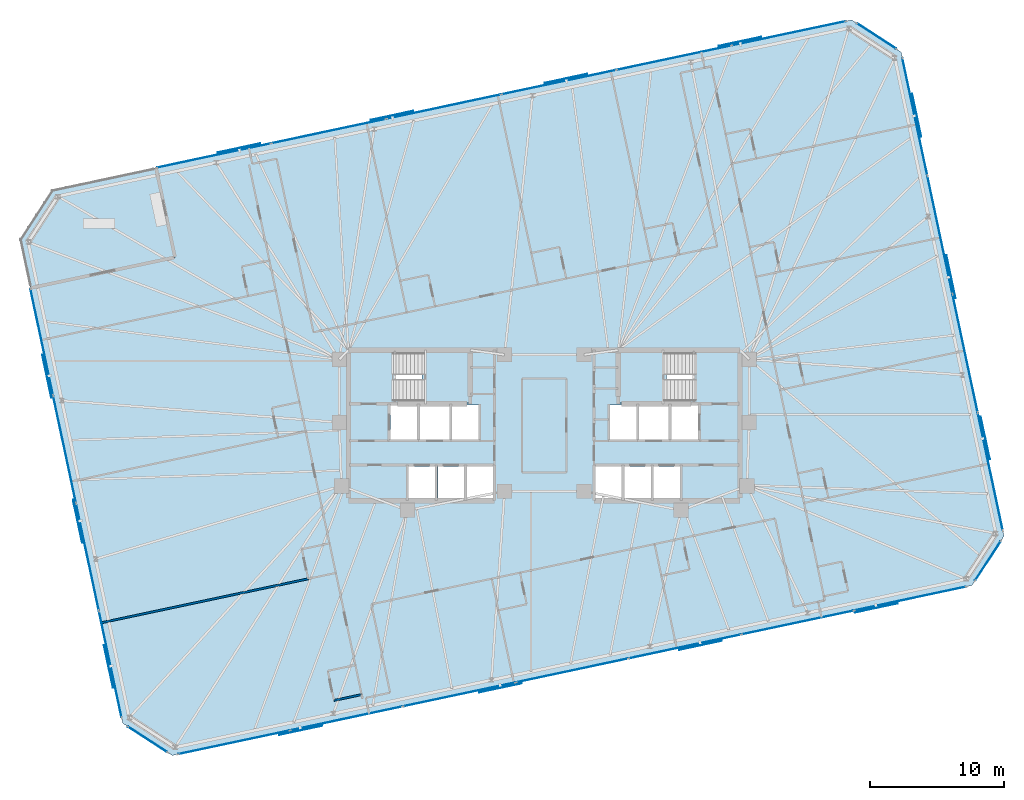
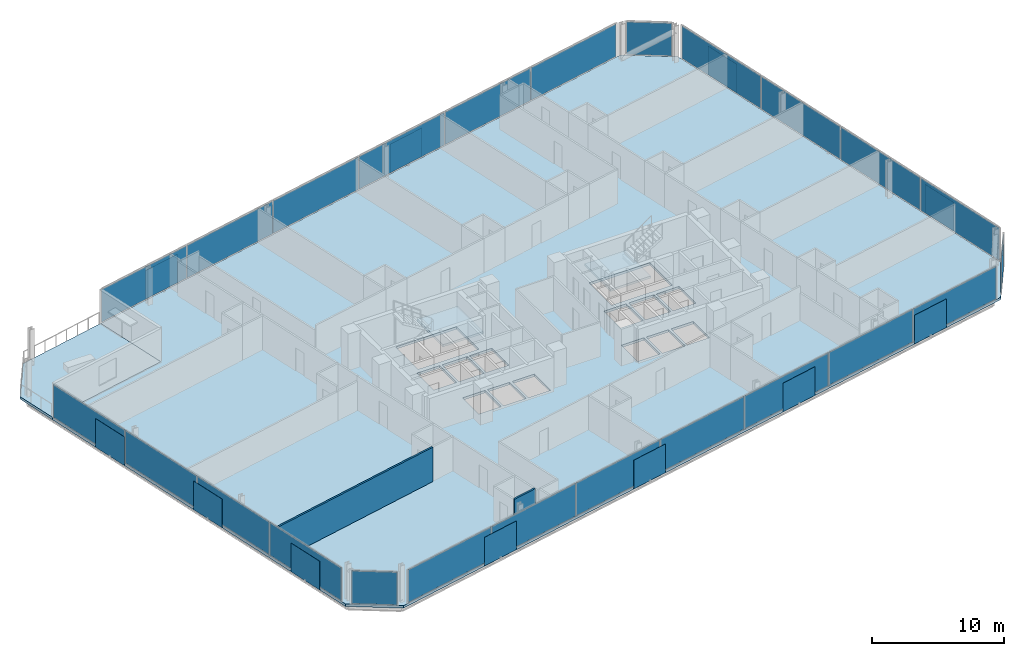
# One storey, part 13 of 20: 38 plates, 4 slabs, 2 walls, 9 elements without a shape of their own.
"""IFC4 building model written with IfcOpenShell, lengths in metres."""

import ifcopenshell
import ifcopenshell.guid

model = None  # the IFC model being written
_history = None  # IfcOwnerHistory: only IFC2X3 demands one
_inside = {}  # id of a spatial element -> (the spatial element, [elements in it])
_under = {}  # id of a project, library or spatial element -> (it, [spatial elements below it])
_declared = {}  # id of a project -> (the project, [libraries it declares])
_typed = {}  # id of a type object -> (the type object, [elements of that type])
_made_of = {}  # id of a material, layer set ... -> (it, [elements and type objects made of it])


def new_model(schema):
    """Start an empty IFC model of exactly this schema.

    Asked for "IFC4X3", IfcOpenShell would pick the latest addendum, in which some entities
    have other attributes; the version numbers below select the first issue.
    IFC2X3 requires an IfcOwnerHistory on every rooted entity: one is made here for all.
    """
    global model, _history
    if schema == "IFC4X3":
        model = ifcopenshell.file(schema_version=(4, 3, 0, 0))
    else:
        model = ifcopenshell.file(schema=schema)
    _inside.clear()
    _under.clear()
    _declared.clear()
    _typed.clear()
    _made_of.clear()
    _history = None
    if model.schema == "IFC2X3":
        org = make("IfcOrganization", Name="unknown")
        user = make(
            "IfcPersonAndOrganization",
            ThePerson=make("IfcPerson", FamilyName="unknown"),
            TheOrganization=org,
        )
        app = make(
            "IfcApplication",
            ApplicationDeveloper=org,
            Version="unknown",
            ApplicationFullName="unknown",
            ApplicationIdentifier="unknown",
        )
        _history = make(
            "IfcOwnerHistory",
            OwningUser=user,
            OwningApplication=app,
            ChangeAction="ADDED",
            CreationDate=0,
        )
    return model


def make(cls, **values):
    """One entity of the class cls with the attributes given. An attribute that is None is left unset."""
    return model.create_entity(
        cls, **{name: value for name, value in values.items() if value is not None}
    )


def rooted(cls, **values):
    """An entity with a GlobalId (a new one), such as an element, a storey or a relation."""
    return make(cls, GlobalId=ifcopenshell.guid.new(), OwnerHistory=_history, **values)


def si_unit(unit_type, name, prefix=None):
    """IfcSIUnit, for example si_unit("LENGTHUNIT", "METRE", prefix="MILLI")."""
    return make("IfcSIUnit", UnitType=unit_type, Prefix=prefix, Name=name)


def assignment(units):
    """IfcUnitAssignment: the units of a project."""
    return None if units is None else make("IfcUnitAssignment", Units=units)


def point(xyz):
    """IfcCartesianPoint."""
    return None if xyz is None else make("IfcCartesianPoint", Coordinates=xyz)


def direction(xyz):
    """IfcDirection."""
    return None if xyz is None else make("IfcDirection", DirectionRatios=xyz)


def frame(location, z_axis=None, x_axis=None):
    """IfcAxis2Placement3D, a coordinate frame: its origin and axes. An axis left out is left unset."""
    return make(
        "IfcAxis2Placement3D",
        Location=point(location),
        Axis=direction(z_axis),
        RefDirection=direction(x_axis),
    )


def frame_2d(location, x_axis=None):
    """IfcAxis2Placement2D, a coordinate frame in the plane: its origin and x axis."""
    return make(
        "IfcAxis2Placement2D", Location=point(location), RefDirection=direction(x_axis)
    )


def origin():
    """The frame at (0, 0, 0) with its axes left unset."""
    return frame((0.0, 0.0, 0.0))


def origin_2d():
    """The frame at (0, 0) in the plane with its x axis left unset."""
    return frame_2d((0.0, 0.0))


def place(relative_to, where):
    """IfcLocalPlacement: puts the frame where relative to a parent placement (None: the world)."""
    return make(
        "IfcLocalPlacement", PlacementRelTo=relative_to, RelativePlacement=where
    )


def context(
    kind, dimensions, precision=None, world=None, true_north=None, identifier=None
):
    """IfcGeometricRepresentationContext, for example the 3D "Model" context."""
    return make(
        "IfcGeometricRepresentationContext",
        ContextIdentifier=identifier,
        ContextType=kind,
        CoordinateSpaceDimension=dimensions,
        Precision=precision,
        WorldCoordinateSystem=world,
        TrueNorth=true_north,
    )


def subcontext(parent, identifier, kind, view, scale=None):
    """IfcGeometricRepresentationSubContext, for example "Body" below "Model"."""
    return make(
        "IfcGeometricRepresentationSubContext",
        ContextIdentifier=identifier,
        ContextType=kind,
        ParentContext=parent,
        TargetScale=scale,
        TargetView=view,
    )


def project(units=None, contexts=None):
    """IfcProject with its units and contexts."""
    return rooted(
        "IfcProject",
        Name="project",
        RepresentationContexts=contexts,
        UnitsInContext=assignment(units),
    )


def spatial(cls, under=None, at=None, **own):
    """A site, building, storey or space (cls), placed at a placement, below another one or the project."""
    s = rooted(cls, ObjectPlacement=at, **own)
    if under is not None:
        _under.setdefault(under.id(), (under, []))[1].append(s)
    return s


def polyline(points):
    """IfcPolyline through the points."""
    return make("IfcPolyline", Points=[point(p) for p in points])


def profile(cls, at=None, kind="AREA", **sizes):
    """A parametric profile (cls). Its sizes go by their IFC names, for example OverallWidth=200.0."""
    return make(cls, ProfileType=kind, Position=at, **sizes)


def rectangle(**sizes):
    """IfcRectangleProfileDef."""
    return profile("IfcRectangleProfileDef", **sizes)


def outline(outer, holes=None, kind="AREA"):
    """IfcArbitraryClosedProfileDef: a profile drawn as a closed curve; with holes, ...WithVoids."""
    if holes is None:
        return make("IfcArbitraryClosedProfileDef", ProfileType=kind, OuterCurve=outer)
    return make(
        "IfcArbitraryProfileDefWithVoids",
        ProfileType=kind,
        OuterCurve=outer,
        InnerCurves=holes,
    )


def extrude(swept, where, along, depth):
    """IfcExtrudedAreaSolid: the profile swept, set in the frame where, extruded along a direction by depth."""
    return make(
        "IfcExtrudedAreaSolid",
        SweptArea=swept,
        Position=where,
        ExtrudedDirection=direction(along),
        Depth=depth,
    )


def shape(context_of_items, identifier, shape_type, items):
    """IfcShapeRepresentation: the items that make up one representation, for example the "Body"."""
    return make(
        "IfcShapeRepresentation",
        ContextOfItems=context_of_items,
        RepresentationIdentifier=identifier,
        RepresentationType=shape_type,
        Items=items,
    )


def material(Name=None, Category=None):
    """IfcMaterial."""
    return make("IfcMaterial", Name=Name, Category=Category)


def layer(
    of_material, thickness, ventilated=None, Name=None, Category=None, Priority=None
):
    """IfcMaterialLayer: one layer of a wall or slab, of a material (None: an air gap)."""
    return make(
        "IfcMaterialLayer",
        Material=of_material,
        LayerThickness=thickness,
        IsVentilated=ventilated,
        Name=Name,
        Category=Category,
        Priority=Priority,
    )


def layer_set(layers, Name=None):
    """IfcMaterialLayerSet."""
    return make("IfcMaterialLayerSet", MaterialLayers=layers, LayerSetName=Name)


def made_of(thing, what):
    """Note that an element or type object is made of a material, layer set ...; save() writes the relation."""
    if what is not None:
        _made_of.setdefault(what.id(), (what, []))[1].append(thing)
    return thing


def type_object(cls, material=None, **own):
    """A type object (cls), such as IfcWallType, which elements share."""
    return made_of(rooted(cls, **own), material)


def element(
    cls,
    number,
    at=None,
    inside=None,
    cuts=None,
    type_object=None,
    material=None,
    context=None,
    identifier="Body",
    shape_type=None,
    held_by="IfcProductDefinitionShape",
    body=None,
    shapes=None,
    **own,
):
    """One element of the class cls, such as IfcWall. Its Tag is "e" and its number.

    at: its placement. inside: the storey or other place that contains it. cuts: it is an
    opening in that element (IfcRelVoidsElement). A single representation is given by context,
    identifier, shape_type and body (its items); several are given by shapes. held_by: the class
    of the entity that holds the representations. save() writes the other relations.
    """
    e = rooted(cls, Tag="e%d" % number, ObjectPlacement=at, **own)
    if body is not None:
        shapes = [shape(context, identifier, shape_type, body)]
    if shapes is not None:
        e.Representation = make(held_by, Representations=shapes)
    if inside is not None:
        _inside.setdefault(inside.id(), (inside, []))[1].append(e)
    if cuts is not None:
        rooted(
            "IfcRelVoidsElement", RelatingBuildingElement=cuts, RelatedOpeningElement=e
        )
    if type_object is not None:
        _typed.setdefault(type_object.id(), (type_object, []))[1].append(e)
    return made_of(e, material)


def aggregate(whole, parts):
    """IfcRelAggregates: a whole, such as a stair, and the parts it consists of."""
    return rooted("IfcRelAggregates", RelatingObject=whole, RelatedObjects=parts)


def save(model, path):
    """Write the relations noted so far, then the file.

    IfcRelAggregates (storeys below a building ...), IfcRelContainedInSpatialStructure (elements
    in a storey), IfcRelDefinesByType, IfcRelAssociatesMaterial and IfcRelDeclares: one each for
    every whole, place, type object, material and project.
    """
    for whole, parts in _under.values():
        aggregate(whole, parts)
    for where, things in _inside.values():
        rooted(
            "IfcRelContainedInSpatialStructure",
            RelatedElements=things,
            RelatingStructure=where,
        )
    for kind, things in _typed.values():
        rooted("IfcRelDefinesByType", RelatedObjects=things, RelatingType=kind)
    for what, things in _made_of.values():
        rooted("IfcRelAssociatesMaterial", RelatedObjects=things, RelatingMaterial=what)
    for by, libraries in _declared.values():
        rooted("IfcRelDeclares", RelatingContext=by, RelatedDefinitions=libraries)
    model.write(path)


model = new_model("IFC4")

# Units and contexts
model_context = context("Model", 3, precision=1e-05, world=origin(), true_north=direction((0.0, 1.0)))
body_context = subcontext(model_context, "Body", "Model", "MODEL_VIEW")
ifc_project = project(units=[si_unit("LENGTHUNIT", "METRE"), si_unit("AREAUNIT", "SQUARE_METRE"), si_unit("VOLUMEUNIT", "CUBIC_METRE"), si_unit("PLANEANGLEUNIT", "RADIAN"), si_unit("MASSUNIT", "GRAM", prefix="KILO")], contexts=[model_context])

# Site, building, storey
site_placement = place(None, origin())
site = spatial("IfcSite", under=ifc_project, at=site_placement, CompositionType="ELEMENT")
building_placement = place(site_placement, origin())
building = spatial("IfcBuilding", under=site, at=building_placement, Name="Menara Jurai Vektor", CompositionType="ELEMENT")
storey_placement = place(building_placement, frame((0.0, 0.0, 175.199951171875)))
storey = spatial("IfcBuildingStorey", under=building, at=storey_placement, Name="L45", CompositionType="ELEMENT", Elevation=175.199951171875)

# Curtain wall, plates
ifc_material_1 = material(Name="Anodised Pale Aluminium & Low-E Double Glazing", Category="aluminium")
curtain_wall_type = type_object("IfcCurtainWallType", Name="CW-BLK3", PredefinedType="NOTDEFINED", material=ifc_material_1)
curtain_wall_1_placement = place(storey_placement, origin())
curtain_wall_1 = element("IfcCurtainWall", 1, at=curtain_wall_1_placement, inside=storey, type_object=curtain_wall_type, Name="Unitised Curtain Wall L45 F03", PredefinedType="NOTDEFINED")
ifc_material_2 = material(Name="Low-E Solar-Control Double Glazed Unit", Category="glass")
ifc_layer_1 = layer(ifc_material_2, 0.031982421875)
ifc_layer_set_1 = layer_set([ifc_layer_1], Name="Low-E Solar-Control Double Glazed Unit")
plate_type_1 = type_object("IfcPlateType", Name="CW-BLK3-PNL", PredefinedType="CURTAIN_PANEL", material=ifc_layer_set_1)
plate_1_placement = place(storey_placement, frame((-37.369384765625, 6.1923828125, 0.085205078125), z_axis=(0.0, 0.0, 1.0), x_axis=(0.207909563335, -0.978148052942, 0.0)))
plate_1 = element("IfcPlate", 2, at=plate_1_placement, type_object=plate_type_1, Name="CW-03 panel 1.1", PredefinedType="CURTAIN_PANEL", context=body_context, shape_type="SweptSolid", body=[
    extrude(rectangle(XDim=8.052490234375, YDim=0.031982421875, at=origin_2d()), origin(), (0.0, 0.0, 1.0), 3.0048828125),
])
plate_2_placement = place(storey_placement, frame((-35.673095703125, -1.7880859375, 0.085205078125), z_axis=(0.0, 0.0, 1.0), x_axis=(0.207909563335, -0.978148052942, 0.0)))
plate_2 = element("IfcPlate", 3, at=plate_2_placement, type_object=plate_type_1, Name="CW-03 panel 2.1", PredefinedType="CURTAIN_PANEL", context=body_context, shape_type="SweptSolid", body=[
    extrude(rectangle(XDim=8.094970703125, YDim=0.031982421875, at=origin_2d()), origin(), (0.0, 0.0, 1.0), 3.0048828125),
])
plate_3_placement = place(storey_placement, frame((-33.972412109375, -9.789306640625, 0.085205078125), z_axis=(0.0, 0.0, 1.0), x_axis=(0.207909563335, -0.978148052942, 0.0)))
plate_3 = element("IfcPlate", 4, at=plate_3_placement, type_object=plate_type_1, Name="CW-03 panel 3.1", PredefinedType="CURTAIN_PANEL", context=body_context, shape_type="SweptSolid", body=[
    extrude(rectangle(XDim=8.094970703125, YDim=0.031982421875, at=origin_2d()), origin(), (0.0, 0.0, 1.0), 3.0048828125),
])
plate_4_placement = place(storey_placement, frame((-32.276123046875, -17.769775390625, 0.085205078125), z_axis=(0.0, 0.0, 1.0), x_axis=(0.207909563335, -0.978148052942, 0.0)))
plate_4 = element("IfcPlate", 5, at=plate_4_placement, type_object=plate_type_1, Name="CW-03 panel 4.1", PredefinedType="CURTAIN_PANEL", context=body_context, shape_type="SweptSolid", body=[
    extrude(rectangle(XDim=8.052490234375, YDim=0.031982421875, at=origin_2d()), origin(), (0.0, 0.0, 1.0), 3.0048828125),
])
aggregate(curtain_wall_1, [plate_1, plate_2, plate_3, plate_4])

curtain_wall_2_placement = place(storey_placement, origin())
curtain_wall_2 = element("IfcCurtainWall", 6, at=curtain_wall_2_placement, inside=storey, type_object=curtain_wall_type, Name="Unitised Curtain Wall L45 F05", PredefinedType="NOTDEFINED")
plate_5_placement = place(storey_placement, frame((-23.078369140625, -23.57568359375, 0.085205078125), z_axis=(0.0, 0.0, 1.0), x_axis=(0.978147674419, 0.207911344156, 0.0)))
plate_5 = element("IfcPlate", 7, at=plate_5_placement, type_object=plate_type_1, Name="CW-03 panel 1.1", PredefinedType="CURTAIN_PANEL", context=body_context, shape_type="SweptSolid", body=[
    extrude(rectangle(XDim=8.44970703125, YDim=0.031982421875, at=origin_2d()), origin(), (0.0, 0.0, 1.0), 3.0048828125),
])
plate_6_placement = place(storey_placement, frame((-14.709228515625, -21.796875, 0.085205078125), z_axis=(0.0, 0.0, 1.0), x_axis=(0.978147674419, 0.207911344156, 0.0)))
plate_6 = element("IfcPlate", 8, at=plate_6_placement, type_object=plate_type_1, Name="CW-03 panel 2.1", PredefinedType="CURTAIN_PANEL", context=body_context, shape_type="SweptSolid", body=[
    extrude(rectangle(XDim=8.4921875, YDim=0.031982421875, at=origin_2d()), origin(), (0.0, 0.0, 1.0), 3.0048828125),
])
plate_7_placement = place(storey_placement, frame((-6.319580078125, -20.013427734375, 0.085205078125), z_axis=(0.0, 0.0, 1.0), x_axis=(0.978147674419, 0.207911344156, 0.0)))
plate_7 = element("IfcPlate", 9, at=plate_7_placement, type_object=plate_type_1, Name="CW-03 panel 3.1", PredefinedType="CURTAIN_PANEL", context=body_context, shape_type="SweptSolid", body=[
    extrude(rectangle(XDim=8.4921875, YDim=0.031982421875, at=origin_2d()), origin(), (0.0, 0.0, 1.0), 3.0048828125),
])
plate_8_placement = place(storey_placement, frame((2.070068359375, -18.230224609375, 0.085205078125), z_axis=(0.0, 0.0, 1.0), x_axis=(0.978147674419, 0.207911344156, 0.0)))
plate_8 = element("IfcPlate", 10, at=plate_8_placement, type_object=plate_type_1, Name="CW-03 panel 4.1", PredefinedType="CURTAIN_PANEL", context=body_context, shape_type="SweptSolid", body=[
    extrude(rectangle(XDim=8.4921875, YDim=0.031982421875, at=origin_2d()), origin(), (0.0, 0.0, 1.0), 3.0048828125),
])
plate_9_placement = place(storey_placement, frame((10.459716796875, -16.447021484375, 0.085205078125), z_axis=(0.0, 0.0, 1.0), x_axis=(0.978147674419, 0.207911344156, 0.0)))
plate_9 = element("IfcPlate", 11, at=plate_9_placement, type_object=plate_type_1, Name="CW-03 panel 5.1", PredefinedType="CURTAIN_PANEL", context=body_context, shape_type="SweptSolid", body=[
    extrude(rectangle(XDim=8.4921875, YDim=0.031982421875, at=origin_2d()), origin(), (0.0, 0.0, 1.0), 3.0048828125),
])
plate_10_placement = place(storey_placement, frame((18.849609375, -14.66357421875, 0.085205078125), z_axis=(0.0, 0.0, 1.0), x_axis=(0.978147674419, 0.207911344156, 0.0)))
plate_10 = element("IfcPlate", 12, at=plate_10_placement, type_object=plate_type_1, Name="CW-03 panel 6.1", PredefinedType="CURTAIN_PANEL", context=body_context, shape_type="SweptSolid", body=[
    extrude(rectangle(XDim=8.4921875, YDim=0.031982421875, at=origin_2d()), origin(), (0.0, 0.0, 1.0), 3.0048828125),
])
plate_11_placement = place(storey_placement, frame((27.218505859375, -12.884765625, 0.085205078125), z_axis=(0.0, 0.0, 1.0), x_axis=(0.978147674419, 0.207911344156, 0.0)))
plate_11 = element("IfcPlate", 13, at=plate_11_placement, type_object=plate_type_1, Name="CW-03 panel 7.1", PredefinedType="CURTAIN_PANEL", context=body_context, shape_type="SweptSolid", body=[
    extrude(rectangle(XDim=8.44970703125, YDim=0.031982421875, at=origin_2d()), origin(), (0.0, 0.0, 1.0), 3.0048828125),
])
aggregate(curtain_wall_2, [plate_5, plate_6, plate_7, plate_8, plate_9, plate_10, plate_11])

curtain_wall_3_placement = place(storey_placement, origin())
curtain_wall_3 = element("IfcCurtainWall", 14, at=curtain_wall_3_placement, inside=storey, type_object=curtain_wall_type, Name="Unitised Curtain Wall L45 F07", PredefinedType="NOTDEFINED")
plate_12_placement = place(storey_placement, frame((33.17333984375, -3.433837890625, 0.085205078125), z_axis=(0.0, 0.0, 1.0), x_axis=(-0.20791035839, 0.978147883949, 0.0)))
plate_12 = element("IfcPlate", 15, at=plate_12_placement, type_object=plate_type_1, Name="CW-03 panel 1.1", PredefinedType="CURTAIN_PANEL", context=body_context, shape_type="SweptSolid", body=[
    extrude(rectangle(XDim=8.882568359375, YDim=0.031982421875, at=origin_2d()), origin(), (0.0, 0.0, 1.0), 3.0048828125),
])
plate_13_placement = place(storey_placement, frame((31.3046875, 5.3583984375, 0.085205078125), z_axis=(0.0, 0.0, 1.0), x_axis=(-0.20791035839, 0.978147883949, 0.0)))
plate_13 = element("IfcPlate", 16, at=plate_13_placement, type_object=plate_type_1, Name="CW-03 panel 2.1", PredefinedType="CURTAIN_PANEL", context=body_context, shape_type="SweptSolid", body=[
    extrude(rectangle(XDim=8.925048828125, YDim=0.031982421875, at=origin_2d()), origin(), (0.0, 0.0, 1.0), 3.0048828125),
])
plate_14_placement = place(storey_placement, frame((29.431396484375, 14.171630859375, 0.085205078125), z_axis=(0.0, 0.0, 1.0), x_axis=(-0.20791035839, 0.978147883949, 0.0)))
plate_14 = element("IfcPlate", 17, at=plate_14_placement, type_object=plate_type_1, Name="CW-03 panel 3.1", PredefinedType="CURTAIN_PANEL", context=body_context, shape_type="SweptSolid", body=[
    extrude(rectangle(XDim=8.925048828125, YDim=0.031982421875, at=origin_2d()), origin(), (0.0, 0.0, 1.0), 3.0048828125),
])
plate_15_placement = place(storey_placement, frame((27.5625, 22.9638671875, 0.085205078125), z_axis=(0.0, 0.0, 1.0), x_axis=(-0.20791035839, 0.978147883949, 0.0)))
plate_15 = element("IfcPlate", 18, at=plate_15_placement, type_object=plate_type_1, Name="CW-03 panel 4.1", PredefinedType="CURTAIN_PANEL", context=body_context, shape_type="SweptSolid", body=[
    extrude(rectangle(XDim=8.882568359375, YDim=0.031982421875, at=origin_2d()), origin(), (0.0, 0.0, 1.0), 3.0048828125),
])
aggregate(curtain_wall_3, [plate_12, plate_13, plate_14, plate_15])

curtain_wall_4_placement = place(storey_placement, origin())
curtain_wall_4 = element("IfcCurtainWall", 19, at=curtain_wall_4_placement, inside=storey, type_object=curtain_wall_type, Name="Unitised Curtain Wall L45 F09", PredefinedType="NOTDEFINED")
plate_16_placement = place(storey_placement, frame((18.192138671875, 29.1572265625, 0.085205078125), z_axis=(0.0, 0.0, 1.0), x_axis=(-0.978147676059, -0.207911336439, 0.0)))
plate_16 = element("IfcPlate", 20, at=plate_16_placement, type_object=plate_type_1, Name="CW-03 panel 1.1", PredefinedType="CURTAIN_PANEL", context=body_context, shape_type="SweptSolid", body=[
    extrude(rectangle(XDim=8.625732421875, YDim=0.031982421875, at=origin_2d()), origin(), (0.0, 0.0, 1.0), 3.0048828125),
])
plate_17_placement = place(storey_placement, frame((9.65087890625, 27.341796875, 0.085205078125), z_axis=(0.0, 0.0, 1.0), x_axis=(-0.978147676059, -0.207911336439, 0.0)))
plate_17 = element("IfcPlate", 21, at=plate_17_placement, type_object=plate_type_1, Name="CW-03 panel 2.1", PredefinedType="CURTAIN_PANEL", context=body_context, shape_type="SweptSolid", body=[
    extrude(rectangle(XDim=8.668212890625, YDim=0.031982421875, at=origin_2d()), origin(), (0.0, 0.0, 1.0), 3.0048828125),
])
plate_18_placement = place(storey_placement, frame((1.0888671875, 25.52197265625, 0.085205078125), z_axis=(0.0, 0.0, 1.0), x_axis=(-0.978147676059, -0.207911336439, 0.0)))
plate_18 = element("IfcPlate", 22, at=plate_18_placement, type_object=plate_type_1, Name="CW-03 panel 3.1", PredefinedType="CURTAIN_PANEL", context=body_context, shape_type="SweptSolid", body=[
    extrude(rectangle(XDim=8.668212890625, YDim=0.031982421875, at=origin_2d()), origin(), (0.0, 0.0, 1.0), 3.0048828125),
])
plate_19_placement = place(storey_placement, frame((-7.473388671875, 23.701904296875, 0.085205078125), z_axis=(0.0, 0.0, 1.0), x_axis=(-0.978147676059, -0.207911336439, 0.0)))
plate_19 = element("IfcPlate", 23, at=plate_19_placement, type_object=plate_type_1, Name="CW-03 panel 4.1", PredefinedType="CURTAIN_PANEL", context=body_context, shape_type="SweptSolid", body=[
    extrude(rectangle(XDim=8.668212890625, YDim=0.031982421875, at=origin_2d()), origin(), (0.0, 0.0, 1.0), 3.0048828125),
])
plate_20_placement = place(storey_placement, frame((-16.035400390625, 21.882080078125, 0.085205078125), z_axis=(0.0, 0.0, 1.0), x_axis=(-0.978147676059, -0.207911336439, 0.0)))
plate_20 = element("IfcPlate", 24, at=plate_20_placement, type_object=plate_type_1, Name="CW-03 panel 5.1", PredefinedType="CURTAIN_PANEL", context=body_context, shape_type="SweptSolid", body=[
    extrude(rectangle(XDim=8.668212890625, YDim=0.031982421875, at=origin_2d()), origin(), (0.0, 0.0, 1.0), 3.0048828125),
])
plate_21_placement = place(storey_placement, frame((-24.57666015625, 20.066650390625, 0.085205078125), z_axis=(0.0, 0.0, 1.0), x_axis=(-0.978147676059, -0.207911336439, 0.0)))
plate_21 = element("IfcPlate", 25, at=plate_21_placement, type_object=plate_type_1, Name="CW-03 panel 6.1", PredefinedType="CURTAIN_PANEL", context=body_context, shape_type="SweptSolid", body=[
    extrude(rectangle(XDim=8.625732421875, YDim=0.031982421875, at=origin_2d()), origin(), (0.0, 0.0, 1.0), 3.0048828125),
])
aggregate(curtain_wall_4, [plate_16, plate_17, plate_18, plate_19, plate_20, plate_21])

# Curtain wall, plate
curtain_wall_5_placement = place(storey_placement, origin())
curtain_wall_5 = element("IfcCurtainWall", 26, at=curtain_wall_5_placement, inside=storey, type_object=curtain_wall_type, Name="Unitised Curtain Wall L45 F04", PredefinedType="NOTDEFINED")
ifc_material_3 = material(Name="Insulated Pale Aluminium Spandrel Panel", Category="aluminium")
ifc_layer_2 = layer(ifc_material_3, 0.06005859375)
ifc_layer_set_2 = layer_set([ifc_layer_2], Name="Insulated Pale Aluminium Spandrel Panel")
plate_type_2 = type_object("IfcPlateType", Name="CW-PNL-SP", PredefinedType="CURTAIN_PANEL", material=ifc_layer_set_2)
plate_22_placement = place(storey_placement, frame((-29.50390625, -23.35693359375, 0.085205078125), z_axis=(0.0, 0.0, 1.0), x_axis=(0.838684361415, -0.544617794346, 0.0)))
plate_22 = element("IfcPlate", 27, at=plate_22_placement, type_object=plate_type_2, Name="CW-03 panel 1.1", PredefinedType="CURTAIN_PANEL", context=body_context, shape_type="SweptSolid", body=[
    extrude(rectangle(XDim=3.4541015625, YDim=0.06005859375, at=origin_2d()), origin(), (0.0, 0.0, 1.0), 3.0048828125),
])
aggregate(curtain_wall_5, [plate_22])

curtain_wall_6_placement = place(storey_placement, origin())
curtain_wall_6 = element("IfcCurtainWall", 28, at=curtain_wall_6_placement, inside=storey, type_object=curtain_wall_type, Name="Unitised Curtain Wall L45 F06", PredefinedType="NOTDEFINED")
plate_23_placement = place(storey_placement, frame((32.999755859375, -10.0712890625, 0.085205078125), z_axis=(0.0, 0.0, 1.0), x_axis=(0.544617794346, 0.838684361415, 0.0)))
plate_23 = element("IfcPlate", 29, at=plate_23_placement, type_object=plate_type_2, Name="CW-03 panel 1.1", PredefinedType="CURTAIN_PANEL", context=body_context, shape_type="SweptSolid", body=[
    extrude(rectangle(XDim=3.4541015625, YDim=0.06005859375, at=origin_2d()), origin(), (0.0, 0.0, 1.0), 3.0048828125),
])
aggregate(curtain_wall_6, [plate_23])

curtain_wall_7_placement = place(storey_placement, origin())
curtain_wall_7 = element("IfcCurtainWall", 30, at=curtain_wall_7_placement, inside=storey, type_object=curtain_wall_type, Name="Unitised Curtain Wall L45 F08", PredefinedType="NOTDEFINED")
plate_24_placement = place(storey_placement, frame((24.7041015625, 28.956787109375, 0.085205078125), z_axis=(0.0, 0.0, 1.0), x_axis=(-0.838684361415, 0.544617794346, 0.0)))
plate_24 = element("IfcPlate", 31, at=plate_24_placement, type_object=plate_type_2, Name="CW-03 panel 1.1", PredefinedType="CURTAIN_PANEL", context=body_context, shape_type="SweptSolid", body=[
    extrude(rectangle(XDim=3.4541015625, YDim=0.06005859375, at=origin_2d()), origin(), (0.0, 0.0, 1.0), 3.0048828125),
])
aggregate(curtain_wall_7, [plate_24])

# Plates
ifc_material_4 = material(Name="Anodised Pale Aluminium Perforated Screen", Category="aluminium")
ifc_layer_3 = layer(ifc_material_4, 0.02294921875)
ifc_layer_set_3 = layer_set([ifc_layer_3], Name="Anodised Pale Aluminium Perforated Screen")
plate_type_3 = type_object("IfcPlateType", Name="ENV-PLT-SCREEN-MID", PredefinedType="USERDEFINED", material=ifc_layer_set_3)
for number, where, z_axis, x_axis, name in (
    (32, (-36.992919921875, 3.651123046875, -0.0498046875), (0.0, 0.0, 1.0), (0.207911690818, -0.978147600734, 0.0), "Perforated Pale-Metal Solar Screen L45-S01"),
    (33, (-34.698974609375, -7.14111328125, -0.0498046875), (0.0, 0.0, 1.0), (0.207911690818, -0.978147600734, 0.0), "Perforated Pale-Metal Solar Screen L45-S02"),
    (34, (-32.405029296875, -17.933349609375, -0.0498046875), (0.0, 0.0, 1.0), (0.207911690818, -0.978147600734, 0.0), "Perforated Pale-Metal Solar Screen L45-S03"),
    (35, (-18.116943359375, -22.6845703125, -0.0498046875), (0.0, 0.0, 1.0), (0.978147600734, 0.207911690818, 0.0), "Perforated Pale-Metal Solar Screen L45-S04"),
    (36, (-3.2490234375, -19.5244140625, -0.0498046875), (0.0, 0.0, 1.0), (0.978147600734, 0.207911690818, 0.0), "Perforated Pale-Metal Solar Screen L45-S05"),
    (37, (11.618896484375, -16.364013671875, -0.0498046875), (0.0, 0.0, 1.0), (0.978147600734, 0.207911690818, 0.0), "Perforated Pale-Metal Solar Screen L45-S06"),
    (38, (24.702392578125, -13.5830078125, -0.0498046875), (0.0, 0.0, 1.0), (0.978147600734, 0.207911690818, 0.0), "Perforated Pale-Metal Solar Screen L45-S07"),
    (39, (32.806884765625, -0.9404296875, -0.0498046875), (0.0, 0.0, 1.0), (-0.207911690818, 0.978147600734, 0.0), "Perforated Pale-Metal Solar Screen L45-S08"),
    (40, (30.256591796875, 11.05810546875, -0.0498046875), (0.0, 0.0, 1.0), (-0.207911690818, 0.978147600734, 0.0), "Perforated Pale-Metal Solar Screen L45-S09"),
    (41, (27.706298828125, 23.056884765625, -0.0498046875), (0.0, 0.0, 1.0), (-0.207911690818, 0.978147600734, 0.0), "Perforated Pale-Metal Solar Screen L45-S10"),
    (42, (14.55322265625, 28.54736328125, -0.0498046875), (0.0, 0.0, 1.0), (-0.978147600734, -0.207911690818, 0.0), "Perforated Pale-Metal Solar Screen L45-S11"),
    (43, (1.6171875, 25.7978515625, -0.0498046875), (0.0, 0.0, 1.0), (-0.978147600734, -0.207911690818, 0.0), "Perforated Pale-Metal Solar Screen L45-S12"),
    (44, (-11.318603515625, 23.048095703125, -0.0498046875), (0.0, 0.0, 1.0), (-0.978147600734, -0.207911690818, 0.0), "Perforated Pale-Metal Solar Screen L45-S13"),
    (45, (-22.702392578125, 20.62841796875, -0.0498046875), (0.0, 0.0, 1.0), (-0.978147600734, -0.207911690818, 0.0), "Perforated Pale-Metal Solar Screen L45-S14"),
):
    element("IfcPlate", number, at=place(storey_placement, frame(where, z_axis=z_axis, x_axis=x_axis)), inside=storey, type_object=plate_type_3, Name=name, ObjectType="SCREEN", PredefinedType="USERDEFINED", context=body_context, shape_type="SweptSolid", body=[
        extrude(rectangle(XDim=3.25, YDim=0.02294921875, at=origin_2d()), origin(), (0.0, 0.0, 1.0), 2.64990234375),
    ])

# Stair, slab
ifc_material_5 = material(Name="Concrete C40/50", Category="concrete")
stair_type = type_object("IfcStairType", Name="STAIR-DOGLEG-1500", PredefinedType="HALF_TURN_STAIR", material=ifc_material_5)
stair_1_placement = place(storey_placement, origin())
stair_1 = element("IfcStair", 46, at=stair_1_placement, inside=storey, type_object=stair_type, Name="Protected Exit Stair ST1 L45", PredefinedType="HALF_TURN_STAIR")
ifc_layer_4 = layer(ifc_material_5, 0.199951171875)
ifc_layer_set_4 = layer_set([ifc_layer_4], Name="Concrete C40/50")
slab_type_1 = type_object("IfcSlabType", Name="STAIR-LANDING-200", PredefinedType="LANDING", material=ifc_layer_set_4)
slab_1_placement = place(storey_placement, frame((0.0, 0.0, 1.5)))
slab_1 = element("IfcSlab", 47, at=slab_1_placement, type_object=slab_type_1, Name="ST1 landing 1", PredefinedType="LANDING", context=body_context, shape_type="SweptSolid", body=[
    extrude(outline(polyline([(-9.080078125, 1.64990234375), (-5.550048828125, 1.64990234375), (-5.550048828125, 5.550048828125), (-9.080078125, 5.550048828125), (-9.080078125, 1.64990234375)])), origin(), (0.0, 0.0, 1.0), 0.199951171875),
])
aggregate(stair_1, [slab_1])

stair_2_placement = place(storey_placement, origin())
stair_2 = element("IfcStair", 48, at=stair_2_placement, inside=storey, type_object=stair_type, Name="Protected Exit Stair ST2 L45", PredefinedType="HALF_TURN_STAIR")
slab_2_placement = place(storey_placement, frame((0.0, 0.0, 1.5)))
slab_2 = element("IfcSlab", 49, at=slab_2_placement, type_object=slab_type_1, Name="ST2 landing 1", PredefinedType="LANDING", context=body_context, shape_type="SweptSolid", body=[
    extrude(outline(polyline([(5.550048828125, 1.64990234375), (9.080078125, 1.64990234375), (9.080078125, 5.550048828125), (5.550048828125, 5.550048828125), (5.550048828125, 1.64990234375)])), origin(), (0.0, 0.0, 1.0), 0.199951171875),
])
aggregate(stair_2, [slab_2])

# Slabs
ifc_layer_5 = layer(ifc_material_5, 0.219970703125)
ifc_layer_set_5 = layer_set([ifc_layer_5], Name="Concrete C40/50")
slab_type_2 = type_object("IfcSlabType", Name="STR-SLAB-TER220", PredefinedType="FLOOR", material=ifc_layer_set_5)
slab_3_placement = place(storey_placement, frame((0.0, 0.0, -0.224853515625)))
element("IfcSlab", 50, at=slab_3_placement, inside=storey, type_object=slab_type_2, Name="Spiral Sky Terrace Slab L45", PredefinedType="FLOOR", context=body_context, shape_type="SweptSolid", body=[
    extrude(outline(polyline([(-38.22412109375, 10.213623046875), (-27.464599609375, 12.500732421875), (-28.87841796875, 19.152099609375), (-36.605712890625, 17.509765625), (-38.993408203125, 13.8330078125), (-38.22412109375, 10.213623046875)])), origin(), (0.0, 0.0, 1.0), 0.224853515625),
])
ifc_layer_6 = layer(ifc_material_5, 0.22509765625)
ifc_layer_set_6 = layer_set([ifc_layer_6], Name="Concrete C40/50")
slab_type_3 = type_object("IfcSlabType", Name="STR-SLAB-TYP200", PredefinedType="FLOOR", material=ifc_layer_set_6)
slab_4_placement = place(storey_placement, frame((0.0, 0.0, -0.224853515625)))
element("IfcSlab", 51, at=slab_4_placement, inside=storey, type_object=slab_type_3, Name="Composite Floor Slab L45", PredefinedType="FLOOR", context=body_context, shape_type="SweptSolid", body=[
    extrude(outline(polyline([(-28.87841796875, 19.152099609375), (-27.464599609375, 12.500732421875), (-38.22412109375, 10.213623046875), (-31.34228515625, -22.1630859375), (-27.66552734375, -24.55078125), (31.805908203125, -11.90966796875), (34.193603515625, -8.23291015625), (26.54248046875, 27.762939453125), (22.865478515625, 30.150634765625), (-28.87841796875, 19.152099609375)]), holes=[polyline([(-11.10009765625, 1.89990234375), (-11.10009765625, 5.300048828125), (-5.800048828125, 5.300048828125), (-5.800048828125, 1.89990234375), (-11.10009765625, 1.89990234375)]), polyline([(5.800048828125, 1.89990234375), (5.800048828125, 5.300048828125), (11.10009765625, 5.300048828125), (11.10009765625, 1.89990234375), (5.800048828125, 1.89990234375)]), polyline([(-11.449951171875, -1.050048828125), (-11.449951171875, 1.5), (-9.449951171875, 1.5), (-9.449951171875, -1.050048828125), (-11.449951171875, -1.050048828125)]), polyline([(9.449951171875, -1.050048828125), (9.449951171875, 1.5), (11.449951171875, 1.5), (11.449951171875, -1.050048828125), (9.449951171875, -1.050048828125)]), polyline([(-5.760009765625, -5.5), (-5.760009765625, -3.050048828125), (-3.800048828125, -3.050048828125), (-3.800048828125, -5.5), (-5.760009765625, -5.5)]), polyline([(-6.85009765625, -1.050048828125), (-6.85009765625, 1.5), (-4.889892578125, 1.5), (-4.889892578125, -1.050048828125), (-6.85009765625, -1.050048828125)]), polyline([(3.800048828125, -5.5), (3.800048828125, -3.050048828125), (5.760009765625, -3.050048828125), (5.760009765625, -5.5), (3.800048828125, -5.5)]), polyline([(4.889892578125, -1.050048828125), (4.889892578125, 1.5), (6.85009765625, 1.5), (6.85009765625, -1.050048828125), (4.889892578125, -1.050048828125)]), polyline([(-10.080078125, -5.5), (-10.080078125, -3.050048828125), (-8.1201171875, -3.050048828125), (-8.1201171875, -5.5), (-10.080078125, -5.5)]), polyline([(-7.919921875, -5.5), (-7.919921875, -3.050048828125), (-5.9599609375, -3.050048828125), (-5.9599609375, -5.5), (-7.919921875, -5.5)]), polyline([(5.9599609375, -5.5), (5.9599609375, -3.050048828125), (7.919921875, -3.050048828125), (7.919921875, -5.5), (5.9599609375, -5.5)]), polyline([(8.1201171875, -5.5), (8.1201171875, -3.050048828125), (10.080078125, -3.050048828125), (10.080078125, -5.5), (8.1201171875, -5.5)]), polyline([(-9.25, -1.050048828125), (-9.25, 1.5), (-7.050048828125, 1.5), (-7.050048828125, -1.050048828125), (-9.25, -1.050048828125)]), polyline([(7.050048828125, -1.050048828125), (7.050048828125, 1.5), (9.25, 1.5), (9.25, -1.050048828125), (7.050048828125, -1.050048828125)])]), origin(), (0.0, 0.0, 1.0), 0.224853515625),
])

# Walls
ifc_material_6 = material(Name="Gypsum Fireboard Partition", Category="gypsum")
ifc_layer_7 = layer(ifc_material_6, 0.14990234375)
ifc_layer_set_7 = layer_set([ifc_layer_7], Name="Gypsum Fireboard Partition")
wall_type = type_object("IfcWallType", Name="INT-WALL-CORR-150", PredefinedType="PARTITIONING", material=ifc_layer_set_7)
wall_1_placement = place(storey_placement, frame((-15.63525390625, -20.4599609375, 0.0), z_axis=(0.0, 0.0, 1.0), x_axis=(0.97815826, 0.207861536591, 0.0)))
element("IfcWall", 52, at=wall_1_placement, inside=storey, type_object=wall_type, Name="Interior Wall IW-150 L45", PredefinedType="PARTITIONING", context=body_context, shape_type="SweptSolid", body=[
    extrude(rectangle(XDim=2.10009765625, YDim=0.14990234375, at=frame_2d((1.050048828125, 0.0))), origin(), (0.0, 0.0, 1.0), 3.175048828125),
])
wall_2_placement = place(storey_placement, frame((-32.932861328125, -14.68017578125, 0.0), z_axis=(0.0, 0.0, 1.0), x_axis=(0.978146137903, 0.207918572776, 0.0)))
element("IfcWall", 53, at=wall_2_placement, inside=storey, type_object=wall_type, Name="Interior Wall IW-150 L45", PredefinedType="PARTITIONING", context=body_context, shape_type="SweptSolid", body=[
    extrude(rectangle(XDim=15.718017578125, YDim=0.14990234375, at=frame_2d((7.85888671875, 0.0))), origin(), (0.0, 0.0, 1.0), 3.175048828125),
])

save(model, "model.ifc")
